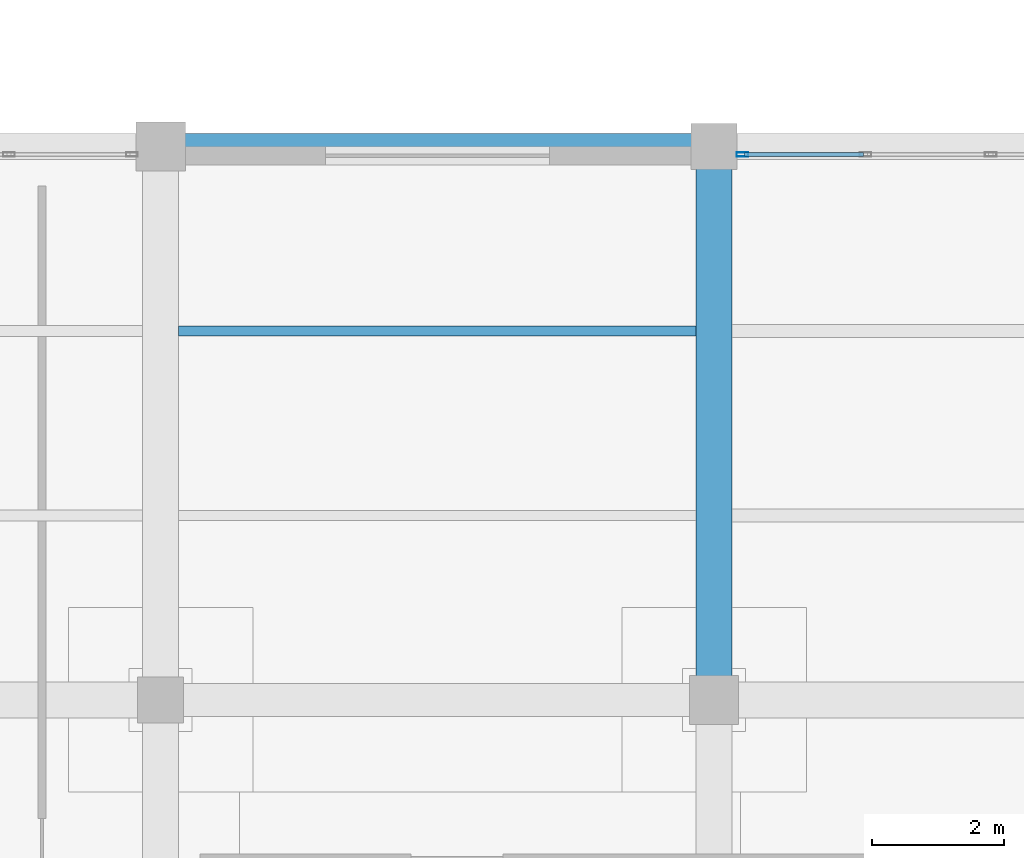
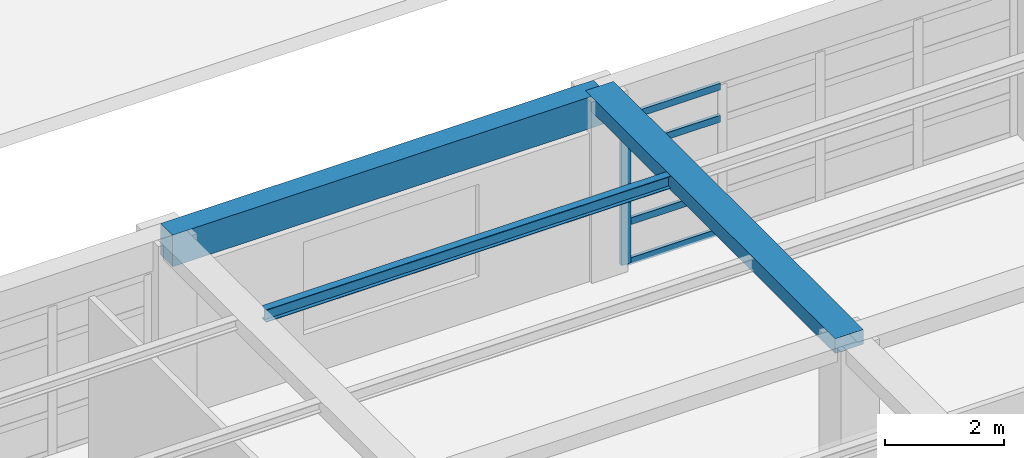
# One storey, part 11 of 35: 5 members, 3 beams, 1 element without a shape of its own.
"""IFC4 building model written with IfcOpenShell, lengths in metres."""

from ifc_helpers import new_model, si_unit, direction, frame, origin, origin_2d, place, context, subcontext, project, spatial, rectangle, hollow_rectangle, i_section, extrude, material, material_profile, profile_set, type_object, element, aggregate, save


model = new_model("IFC4")

# Units and contexts
model_context = context("Model", 3, precision=1e-05, world=origin(), true_north=direction((0.0, 1.0)))
body_context = subcontext(model_context, "Body", "Model", "MODEL_VIEW")
ifc_project = project(units=[si_unit("LENGTHUNIT", "METRE"), si_unit("AREAUNIT", "SQUARE_METRE"), si_unit("VOLUMEUNIT", "CUBIC_METRE"), si_unit("PLANEANGLEUNIT", "RADIAN"), si_unit("MASSUNIT", "GRAM", prefix="KILO")], contexts=[model_context])

# Site, building, storey
site_placement = place(None, origin())
site = spatial("IfcSite", under=ifc_project, at=site_placement, CompositionType="ELEMENT")
building_placement = place(site_placement, origin())
building = spatial("IfcBuilding", under=site, at=building_placement, Name="Almacenes y Pasaje Nevantli", CompositionType="ELEMENT")
storey_placement = place(building_placement, frame((0.0, 0.0, 26.699951171875)))
storey = spatial("IfcBuildingStorey", under=building, at=storey_placement, Name="L06", CompositionType="ELEMENT", Elevation=26.699951171875)

# Beams
ifc_material_1 = material(Name="Concrete C35/45", Category="concrete")
ifc_material_profile_1 = material_profile(ifc_material_1, rectangle(XDim=0.39990234375, YDim=0.64990234375, at=origin_2d()), Name="RC-BM-400x650")
ifc_profile_set_1 = profile_set([ifc_material_profile_1], Name="Concrete C35/45")
beam_type_1 = type_object("IfcBeamType", Name="BM-RC-400x650", PredefinedType="SPANDREL", material=ifc_profile_set_1)
beam_1_placement = place(storey_placement, frame((117.60009765625, 100.800048828125, 3.39501953125), z_axis=(1.0, 0.0, 0.0), x_axis=(0.0, 1.0, 0.0)))
element("IfcBeam", 1, at=beam_1_placement, inside=storey, type_object=beam_type_1, Name="L06 East-West Reinforced Concrete Beam #3598", PredefinedType="SPANDREL", context=body_context, shape_type="SweptSolid", body=[
    extrude(rectangle(XDim=0.39990234375, YDim=0.64990234375, at=origin_2d()), origin(), (0.0, 0.0, 1.0), 8.39990234375),
])
ifc_material_2 = material(Name="Concrete C35/45", Category="concrete")
ifc_material_profile_2 = material_profile(ifc_material_2, rectangle(XDim=0.550048828125, YDim=0.300048828125, at=origin_2d()), Name="RC-BM-550x300")
ifc_profile_set_2 = profile_set([ifc_material_profile_2], Name="Concrete C35/45")
beam_type_2 = type_object("IfcBeamType", Name="BM-RC-550x300", PredefinedType="BEAM", material=ifc_profile_set_2)
beam_2_placement = place(storey_placement, frame((126.0, 92.39990234375, 3.570068359375), z_axis=(0.0, 1.0, 0.0), x_axis=(-1.0, 0.0, 0.0)))
element("IfcBeam", 2, at=beam_2_placement, inside=storey, type_object=beam_type_2, Name="L06 North-South Reinforced Concrete Beam #3613", PredefinedType="BEAM", context=body_context, shape_type="SweptSolid", body=[
    extrude(rectangle(XDim=0.550048828125, YDim=0.300048828125, at=origin_2d()), origin(), (0.0, 0.0, 1.0), 8.400146484375),
])
ifc_material_3 = material(Name="Steel ASTM A992", Category="steel")
ifc_material_profile_3 = material_profile(ifc_material_3, i_section(OverallWidth=0.14697265625, OverallDepth=0.257080078125, WebThickness=0.006591796875, FlangeThickness=0.01123046875, at=origin_2d()), Name="IR 254x38.7")
ifc_profile_set_3 = profile_set([ifc_material_profile_3], Name="Steel ASTM A992")
beam_type_3 = type_object("IfcBeamType", Name="BM-STL-IR-254x38p7", PredefinedType="JOIST", material=ifc_profile_set_3)
beam_3_placement = place(storey_placement, frame((117.875, 98.0, 3.58349609375), z_axis=(1.0, 0.0, 0.0), x_axis=(0.0, 1.0, 0.0)))
element("IfcBeam", 3, at=beam_3_placement, inside=storey, type_object=beam_type_3, Name="L06 Secondary Steel Floor Joist #1364", PredefinedType="JOIST", context=body_context, shape_type="SweptSolid", body=[
    extrude(i_section(OverallWidth=0.14697265625, OverallDepth=0.257080078125, WebThickness=0.006591796875, FlangeThickness=0.01123046875, at=origin_2d()), origin(), (0.0, 0.0, 1.0), 7.85009765625),
])

# Curtain wall, members
ifc_material_4 = material(Name="Thermally Broken Aluminium and Low-E Glass", Category="aluminium")
curtain_wall_type = type_object("IfcCurtainWallType", Name="CW-UNIT-TOWER", PredefinedType="USERDEFINED", material=ifc_material_4)
curtain_wall_placement = place(storey_placement, origin())
curtain_wall = element("IfcCurtainWall", 4, at=curtain_wall_placement, inside=storey, type_object=curtain_wall_type, Name="L06 Tower North Boulevard Unitized Curtain Wall Bay 16", ObjectType="UNITIZED CURTAIN WALL", PredefinedType="USERDEFINED")
ifc_material_5 = material(Name="Thermally Broken Anodized Aluminium", Category="aluminium")
ifc_material_profile_4 = material_profile(ifc_material_5, hollow_rectangle(XDim=0.06494140625, YDim=0.179931640625, WallThickness=0.00390625, at=origin_2d()), Name="ALU-MUL-65x180")
ifc_profile_set_4 = profile_set([ifc_material_profile_4], Name="Thermally Broken Anodized Aluminium")
member_type_1 = type_object("IfcMemberType", Name="CW-MUL-200", PredefinedType="MULLION", material=ifc_profile_set_4)
member_1_placement = place(storey_placement, frame((126.4326171875, 100.679931640625, 0.0), z_axis=(0.0, 0.0, 1.0), x_axis=(0.0, 1.0, 0.0)))
member_1 = element("IfcMember", 5, at=member_1_placement, type_object=member_type_1, Name="CW-L06-104 mullion 1", PredefinedType="MULLION", context=body_context, shape_type="SweptSolid", body=[
    extrude(hollow_rectangle(XDim=0.06494140625, YDim=0.179931640625, WallThickness=0.00390625, at=origin_2d()), origin(), (0.0, 0.0, 1.0), 3.0400390625),
])
ifc_material_6 = material(Name="Thermally Broken Anodized Aluminium", Category="aluminium")
ifc_material_profile_5 = material_profile(ifc_material_6, hollow_rectangle(XDim=0.06494140625, YDim=0.139892578125, WallThickness=0.00390625, at=origin_2d()), Name="ALU-TRN-65x140")
ifc_profile_set_5 = profile_set([ifc_material_profile_5], Name="Thermally Broken Anodized Aluminium")
member_type_2 = type_object("IfcMemberType", Name="CW-TRN-150", PredefinedType="USERDEFINED", material=ifc_profile_set_5)
member_2_placement = place(storey_placement, frame((126.465087890625, 100.679931640625, 0.032470703125), z_axis=(1.0, 0.0, 0.0), x_axis=(0.0, 1.0, 0.0)))
member_2 = element("IfcMember", 6, at=member_2_placement, type_object=member_type_2, Name="CW-L06-104 transom 1.1", ObjectType="TRANSOM", PredefinedType="USERDEFINED", context=body_context, shape_type="SweptSolid", body=[
    extrude(hollow_rectangle(XDim=0.06494140625, YDim=0.139892578125, WallThickness=0.00390625, at=origin_2d()), origin(), (0.0, 0.0, 1.0), 1.802490234375),
])
member_3_placement = place(storey_placement, frame((126.465087890625, 100.679931640625, 0.85009765625), z_axis=(1.0, 0.0, 0.0), x_axis=(0.0, 1.0, 0.0)))
member_3 = element("IfcMember", 7, at=member_3_placement, type_object=member_type_2, Name="CW-L06-104 transom 1.2", ObjectType="TRANSOM", PredefinedType="USERDEFINED", context=body_context, shape_type="SweptSolid", body=[
    extrude(hollow_rectangle(XDim=0.06494140625, YDim=0.139892578125, WallThickness=0.00390625, at=origin_2d()), origin(), (0.0, 0.0, 1.0), 1.802490234375),
])
member_4_placement = place(storey_placement, frame((126.465087890625, 100.679931640625, 2.35009765625), z_axis=(1.0, 0.0, 0.0), x_axis=(0.0, 1.0, 0.0)))
member_4 = element("IfcMember", 8, at=member_4_placement, type_object=member_type_2, Name="CW-L06-104 transom 1.3", ObjectType="TRANSOM", PredefinedType="USERDEFINED", context=body_context, shape_type="SweptSolid", body=[
    extrude(hollow_rectangle(XDim=0.06494140625, YDim=0.139892578125, WallThickness=0.00390625, at=origin_2d()), origin(), (0.0, 0.0, 1.0), 1.802490234375),
])
member_5_placement = place(storey_placement, frame((126.465087890625, 100.679931640625, 3.007568359375), z_axis=(1.0, 0.0, 0.0), x_axis=(0.0, 1.0, 0.0)))
member_5 = element("IfcMember", 9, at=member_5_placement, type_object=member_type_2, Name="CW-L06-104 transom 1.4", ObjectType="TRANSOM", PredefinedType="USERDEFINED", context=body_context, shape_type="SweptSolid", body=[
    extrude(hollow_rectangle(XDim=0.06494140625, YDim=0.139892578125, WallThickness=0.00390625, at=origin_2d()), origin(), (0.0, 0.0, 1.0), 1.802490234375),
])
aggregate(curtain_wall, [member_1, member_2, member_3, member_4, member_5])

save(model, "model.ifc")
